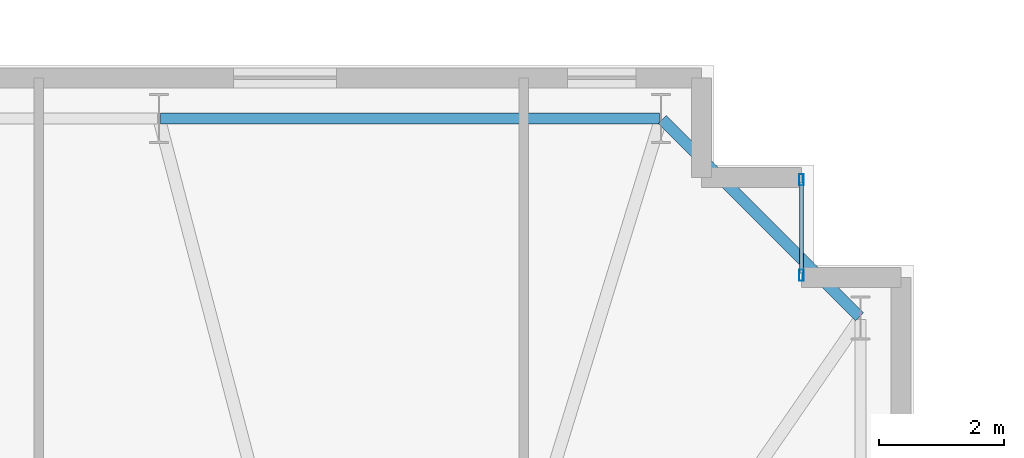
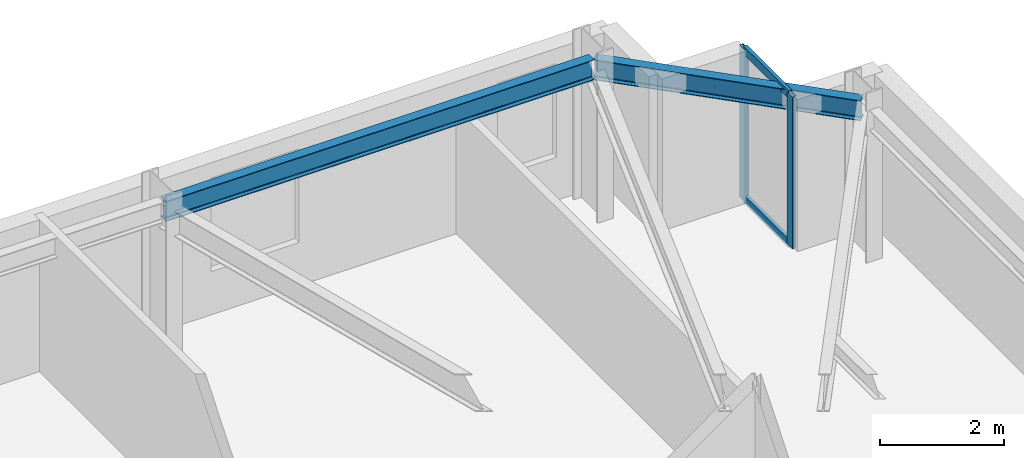
# One storey, part 9 of 17: 4 members, 2 beams, 1 element without a shape of its own.
"""IFC4 building model written with IfcOpenShell, lengths in metres."""

import ifcopenshell
import ifcopenshell.guid

model = None  # the IFC model being written
_history = None  # IfcOwnerHistory: only IFC2X3 demands one
_inside = {}  # id of a spatial element -> (the spatial element, [elements in it])
_under = {}  # id of a project, library or spatial element -> (it, [spatial elements below it])
_declared = {}  # id of a project -> (the project, [libraries it declares])
_typed = {}  # id of a type object -> (the type object, [elements of that type])
_made_of = {}  # id of a material, layer set ... -> (it, [elements and type objects made of it])


def new_model(schema):
    """Start an empty IFC model of exactly this schema.

    Asked for "IFC4X3", IfcOpenShell would pick the latest addendum, in which some entities
    have other attributes; the version numbers below select the first issue.
    IFC2X3 requires an IfcOwnerHistory on every rooted entity: one is made here for all.
    """
    global model, _history
    if schema == "IFC4X3":
        model = ifcopenshell.file(schema_version=(4, 3, 0, 0))
    else:
        model = ifcopenshell.file(schema=schema)
    _inside.clear()
    _under.clear()
    _declared.clear()
    _typed.clear()
    _made_of.clear()
    _history = None
    if model.schema == "IFC2X3":
        org = make("IfcOrganization", Name="unknown")
        user = make(
            "IfcPersonAndOrganization",
            ThePerson=make("IfcPerson", FamilyName="unknown"),
            TheOrganization=org,
        )
        app = make(
            "IfcApplication",
            ApplicationDeveloper=org,
            Version="unknown",
            ApplicationFullName="unknown",
            ApplicationIdentifier="unknown",
        )
        _history = make(
            "IfcOwnerHistory",
            OwningUser=user,
            OwningApplication=app,
            ChangeAction="ADDED",
            CreationDate=0,
        )
    return model


def make(cls, **values):
    """One entity of the class cls with the attributes given. An attribute that is None is left unset."""
    return model.create_entity(
        cls, **{name: value for name, value in values.items() if value is not None}
    )


def rooted(cls, **values):
    """An entity with a GlobalId (a new one), such as an element, a storey or a relation."""
    return make(cls, GlobalId=ifcopenshell.guid.new(), OwnerHistory=_history, **values)


def si_unit(unit_type, name, prefix=None):
    """IfcSIUnit, for example si_unit("LENGTHUNIT", "METRE", prefix="MILLI")."""
    return make("IfcSIUnit", UnitType=unit_type, Prefix=prefix, Name=name)


def assignment(units):
    """IfcUnitAssignment: the units of a project."""
    return None if units is None else make("IfcUnitAssignment", Units=units)


def point(xyz):
    """IfcCartesianPoint."""
    return None if xyz is None else make("IfcCartesianPoint", Coordinates=xyz)


def direction(xyz):
    """IfcDirection."""
    return None if xyz is None else make("IfcDirection", DirectionRatios=xyz)


def frame(location, z_axis=None, x_axis=None):
    """IfcAxis2Placement3D, a coordinate frame: its origin and axes. An axis left out is left unset."""
    return make(
        "IfcAxis2Placement3D",
        Location=point(location),
        Axis=direction(z_axis),
        RefDirection=direction(x_axis),
    )


def frame_2d(location, x_axis=None):
    """IfcAxis2Placement2D, a coordinate frame in the plane: its origin and x axis."""
    return make(
        "IfcAxis2Placement2D", Location=point(location), RefDirection=direction(x_axis)
    )


def origin():
    """The frame at (0, 0, 0) with its axes left unset."""
    return frame((0.0, 0.0, 0.0))


def origin_2d():
    """The frame at (0, 0) in the plane with its x axis left unset."""
    return frame_2d((0.0, 0.0))


def place(relative_to, where):
    """IfcLocalPlacement: puts the frame where relative to a parent placement (None: the world)."""
    return make(
        "IfcLocalPlacement", PlacementRelTo=relative_to, RelativePlacement=where
    )


def context(
    kind, dimensions, precision=None, world=None, true_north=None, identifier=None
):
    """IfcGeometricRepresentationContext, for example the 3D "Model" context."""
    return make(
        "IfcGeometricRepresentationContext",
        ContextIdentifier=identifier,
        ContextType=kind,
        CoordinateSpaceDimension=dimensions,
        Precision=precision,
        WorldCoordinateSystem=world,
        TrueNorth=true_north,
    )


def subcontext(parent, identifier, kind, view, scale=None):
    """IfcGeometricRepresentationSubContext, for example "Body" below "Model"."""
    return make(
        "IfcGeometricRepresentationSubContext",
        ContextIdentifier=identifier,
        ContextType=kind,
        ParentContext=parent,
        TargetScale=scale,
        TargetView=view,
    )


def project(units=None, contexts=None):
    """IfcProject with its units and contexts."""
    return rooted(
        "IfcProject",
        Name="project",
        RepresentationContexts=contexts,
        UnitsInContext=assignment(units),
    )


def spatial(cls, under=None, at=None, **own):
    """A site, building, storey or space (cls), placed at a placement, below another one or the project."""
    s = rooted(cls, ObjectPlacement=at, **own)
    if under is not None:
        _under.setdefault(under.id(), (under, []))[1].append(s)
    return s


def profile(cls, at=None, kind="AREA", **sizes):
    """A parametric profile (cls). Its sizes go by their IFC names, for example OverallWidth=200.0."""
    return make(cls, ProfileType=kind, Position=at, **sizes)


def hollow_rectangle(**sizes):
    """IfcRectangleHollowProfileDef."""
    return profile("IfcRectangleHollowProfileDef", **sizes)


def i_section(**sizes):
    """IfcIShapeProfileDef."""
    return profile("IfcIShapeProfileDef", **sizes)


def extrude(swept, where, along, depth):
    """IfcExtrudedAreaSolid: the profile swept, set in the frame where, extruded along a direction by depth."""
    return make(
        "IfcExtrudedAreaSolid",
        SweptArea=swept,
        Position=where,
        ExtrudedDirection=direction(along),
        Depth=depth,
    )


def shape(context_of_items, identifier, shape_type, items):
    """IfcShapeRepresentation: the items that make up one representation, for example the "Body"."""
    return make(
        "IfcShapeRepresentation",
        ContextOfItems=context_of_items,
        RepresentationIdentifier=identifier,
        RepresentationType=shape_type,
        Items=items,
    )


def material(Name=None, Category=None):
    """IfcMaterial."""
    return make("IfcMaterial", Name=Name, Category=Category)


def layer(
    of_material, thickness, ventilated=None, Name=None, Category=None, Priority=None
):
    """IfcMaterialLayer: one layer of a wall or slab, of a material (None: an air gap)."""
    return make(
        "IfcMaterialLayer",
        Material=of_material,
        LayerThickness=thickness,
        IsVentilated=ventilated,
        Name=Name,
        Category=Category,
        Priority=Priority,
    )


def layer_set(layers, Name=None):
    """IfcMaterialLayerSet."""
    return make("IfcMaterialLayerSet", MaterialLayers=layers, LayerSetName=Name)


def material_profile(
    of_material, cross_section, Name=None, Category=None, Priority=None
):
    """IfcMaterialProfile: a cross section and its material."""
    return make(
        "IfcMaterialProfile",
        Name=Name,
        Material=of_material,
        Profile=cross_section,
        Priority=Priority,
        Category=Category,
    )


def profile_set(profiles, Name=None, composite=None):
    """IfcMaterialProfileSet."""
    return make(
        "IfcMaterialProfileSet",
        Name=Name,
        MaterialProfiles=profiles,
        CompositeProfile=composite,
    )


def made_of(thing, what):
    """Note that an element or type object is made of a material, layer set ...; save() writes the relation."""
    if what is not None:
        _made_of.setdefault(what.id(), (what, []))[1].append(thing)
    return thing


def type_object(cls, material=None, **own):
    """A type object (cls), such as IfcWallType, which elements share."""
    return made_of(rooted(cls, **own), material)


def element(
    cls,
    number,
    at=None,
    inside=None,
    cuts=None,
    type_object=None,
    material=None,
    context=None,
    identifier="Body",
    shape_type=None,
    held_by="IfcProductDefinitionShape",
    body=None,
    shapes=None,
    **own,
):
    """One element of the class cls, such as IfcWall. Its Tag is "e" and its number.

    at: its placement. inside: the storey or other place that contains it. cuts: it is an
    opening in that element (IfcRelVoidsElement). A single representation is given by context,
    identifier, shape_type and body (its items); several are given by shapes. held_by: the class
    of the entity that holds the representations. save() writes the other relations.
    """
    e = rooted(cls, Tag="e%d" % number, ObjectPlacement=at, **own)
    if body is not None:
        shapes = [shape(context, identifier, shape_type, body)]
    if shapes is not None:
        e.Representation = make(held_by, Representations=shapes)
    if inside is not None:
        _inside.setdefault(inside.id(), (inside, []))[1].append(e)
    if cuts is not None:
        rooted(
            "IfcRelVoidsElement", RelatingBuildingElement=cuts, RelatedOpeningElement=e
        )
    if type_object is not None:
        _typed.setdefault(type_object.id(), (type_object, []))[1].append(e)
    return made_of(e, material)


def aggregate(whole, parts):
    """IfcRelAggregates: a whole, such as a stair, and the parts it consists of."""
    return rooted("IfcRelAggregates", RelatingObject=whole, RelatedObjects=parts)


def save(model, path):
    """Write the relations noted so far, then the file.

    IfcRelAggregates (storeys below a building ...), IfcRelContainedInSpatialStructure (elements
    in a storey), IfcRelDefinesByType, IfcRelAssociatesMaterial and IfcRelDeclares: one each for
    every whole, place, type object, material and project.
    """
    for whole, parts in _under.values():
        aggregate(whole, parts)
    for where, things in _inside.values():
        rooted(
            "IfcRelContainedInSpatialStructure",
            RelatedElements=things,
            RelatingStructure=where,
        )
    for kind, things in _typed.values():
        rooted("IfcRelDefinesByType", RelatedObjects=things, RelatingType=kind)
    for what, things in _made_of.values():
        rooted("IfcRelAssociatesMaterial", RelatedObjects=things, RelatingMaterial=what)
    for by, libraries in _declared.values():
        rooted("IfcRelDeclares", RelatingContext=by, RelatedDefinitions=libraries)
    model.write(path)


model = new_model("IFC4")

# Units and contexts
model_context = context("Model", 3, precision=1e-05, world=origin(), true_north=direction((0.0, 1.0)))
body_context = subcontext(model_context, "Body", "Model", "MODEL_VIEW")
ifc_project = project(units=[si_unit("LENGTHUNIT", "METRE"), si_unit("AREAUNIT", "SQUARE_METRE"), si_unit("VOLUMEUNIT", "CUBIC_METRE"), si_unit("PLANEANGLEUNIT", "RADIAN"), si_unit("MASSUNIT", "GRAM", prefix="KILO")], contexts=[model_context])

# Site, building, storey
site_placement = place(None, origin())
site = spatial("IfcSite", under=ifc_project, at=site_placement, CompositionType="ELEMENT")
building_placement = place(site_placement, origin())
building = spatial("IfcBuilding", under=site, at=building_placement, Name="Qobustan Lattice House", CompositionType="ELEMENT")
storey_placement = place(building_placement, frame((0.0, 0.0, 171.199951171875)))
storey = spatial("IfcBuildingStorey", under=building, at=storey_placement, Name="L48", CompositionType="ELEMENT", Elevation=171.199951171875)

# Beams
ifc_material_1 = material(Name="Steel S355", Category="steel")
ifc_material_profile_1 = material_profile(ifc_material_1, i_section(OverallWidth=0.179931640625, OverallDepth=0.39990234375, WebThickness=0.008544921875, FlangeThickness=0.013427734375, FilletRadius=0.02099609375, at=origin_2d()), Name="IPE400")
ifc_profile_set_1 = profile_set([ifc_material_profile_1], Name="Steel S355")
beam_type = type_object("IfcBeamType", Name="BM-SPD-IPE400", PredefinedType="SPANDREL", material=ifc_profile_set_1)
beam_1_placement = place(storey_placement, frame((26.332275390625, 16.567626953125, 2.800048828125), z_axis=(-0.707079505568, 0.707134055753, 0.0), x_axis=(-0.707134055753, -0.707079505568, 0.0)))
element("IfcBeam", 1, at=beam_1_placement, inside=storey, type_object=beam_type, Name="L48 perimeter spandrel E4-N1", PredefinedType="SPANDREL", context=body_context, shape_type="SweptSolid", body=[
    extrude(i_section(OverallWidth=0.179931640625, OverallDepth=0.39990234375, WebThickness=0.008544921875, FlangeThickness=0.013427734375, FilletRadius=0.02099609375, at=origin_2d()), origin(), (0.0, 0.0, 1.0), 4.4755859375),
])
beam_2_placement = place(storey_placement, frame((23.125, 19.75, 2.800048828125), z_axis=(-1.0, 0.0, 0.0), x_axis=(0.0, -1.0, 0.0)))
element("IfcBeam", 2, at=beam_2_placement, inside=storey, type_object=beam_type, Name="L48 perimeter spandrel N1-N2", PredefinedType="SPANDREL", context=body_context, shape_type="SweptSolid", body=[
    extrude(i_section(OverallWidth=0.179931640625, OverallDepth=0.39990234375, WebThickness=0.008544921875, FlangeThickness=0.013427734375, FilletRadius=0.02099609375, at=origin_2d()), origin(), (0.0, 0.0, 1.0), 8.0),
])

# Curtain wall, members
ifc_material_2 = material(Name="Anodised aluminium and low-E glazing", Category="aluminium")
ifc_layer = layer(ifc_material_2, 0.219970703125)
ifc_layer_set = layer_set([ifc_layer], Name="Anodised aluminium and low-E glazing")
curtain_wall_type = type_object("IfcCurtainWallType", Name="CW-FAC-02", PredefinedType="USERDEFINED", material=ifc_layer_set)
curtain_wall_placement = place(storey_placement, origin())
curtain_wall = element("IfcCurtainWall", 3, at=curtain_wall_placement, inside=storey, type_object=curtain_wall_type, Name="L48 serrated corner faceted glazing 13", ObjectType="CURTAIN WALL", PredefinedType="USERDEFINED")
ifc_material_3 = material(Name="Anodised aluminium EN AW-6063 T6", Category="aluminium")
ifc_material_profile_2 = material_profile(ifc_material_3, hollow_rectangle(XDim=0.070068359375, YDim=0.179931640625, WallThickness=0.00439453125, at=origin_2d()), Name="CWM-180x70")
ifc_profile_set_2 = profile_set([ifc_material_profile_2], Name="Anodised aluminium EN AW-6063 T6")
member_type_1 = type_object("IfcMemberType", Name="CWM-STD-180", PredefinedType="MULLION", material=ifc_profile_set_2)
member_1_placement = place(storey_placement, frame((25.39990234375, 18.764892578125, 0.0), z_axis=(0.0, 0.0, 1.0), x_axis=(1.0, 0.0, 0.0)))
member_1 = element("IfcMember", 4, at=member_1_placement, type_object=member_type_1, Name="CW-F2 mullion 1", PredefinedType="MULLION", context=body_context, shape_type="SweptSolid", body=[
    extrude(hollow_rectangle(XDim=0.070068359375, YDim=0.179931640625, WallThickness=0.00439453125, at=origin_2d()), origin(), (0.0, 0.0, 1.0), 3.0),
])
member_2_placement = place(storey_placement, frame((25.39990234375, 17.235107421875, 0.0), z_axis=(0.0, 0.0, 1.0), x_axis=(1.0, 0.0, 0.0)))
member_2 = element("IfcMember", 5, at=member_2_placement, type_object=member_type_1, Name="CW-F2 mullion 2", PredefinedType="MULLION", context=body_context, shape_type="SweptSolid", body=[
    extrude(hollow_rectangle(XDim=0.070068359375, YDim=0.179931640625, WallThickness=0.00439453125, at=origin_2d()), origin(), (0.0, 0.0, 1.0), 3.0),
])
ifc_material_4 = material(Name="Anodised aluminium EN AW-6063 T6", Category="aluminium")
ifc_material_profile_3 = material_profile(ifc_material_4, hollow_rectangle(XDim=0.06494140625, YDim=0.159912109375, WallThickness=0.00390625, at=origin_2d()), Name="CWT-160x65")
ifc_profile_set_3 = profile_set([ifc_material_profile_3], Name="Anodised aluminium EN AW-6063 T6")
member_type_2 = type_object("IfcMemberType", Name="CWT-HOR-160", PredefinedType="USERDEFINED", material=ifc_profile_set_3)
member_3_placement = place(storey_placement, frame((25.39990234375, 18.72998046875, 0.032470703125), z_axis=(0.0, -1.0, 0.0), x_axis=(1.0, 0.0, 0.0)))
member_3 = element("IfcMember", 6, at=member_3_placement, type_object=member_type_2, Name="CW-F2 transom 1.1", ObjectType="TRANSOM", PredefinedType="USERDEFINED", context=body_context, shape_type="SweptSolid", body=[
    extrude(hollow_rectangle(XDim=0.06494140625, YDim=0.159912109375, WallThickness=0.00390625, at=origin_2d()), origin(), (0.0, 0.0, 1.0), 1.4599609375),
])
member_4_placement = place(storey_placement, frame((25.39990234375, 18.72998046875, 2.967529296875), z_axis=(0.0, -1.0, 0.0), x_axis=(1.0, 0.0, 0.0)))
member_4 = element("IfcMember", 7, at=member_4_placement, type_object=member_type_2, Name="CW-F2 transom 1.2", ObjectType="TRANSOM", PredefinedType="USERDEFINED", context=body_context, shape_type="SweptSolid", body=[
    extrude(hollow_rectangle(XDim=0.06494140625, YDim=0.159912109375, WallThickness=0.00390625, at=origin_2d()), origin(), (0.0, 0.0, 1.0), 1.4599609375),
])
aggregate(curtain_wall, [member_1, member_2, member_3, member_4])

save(model, "model.ifc")
